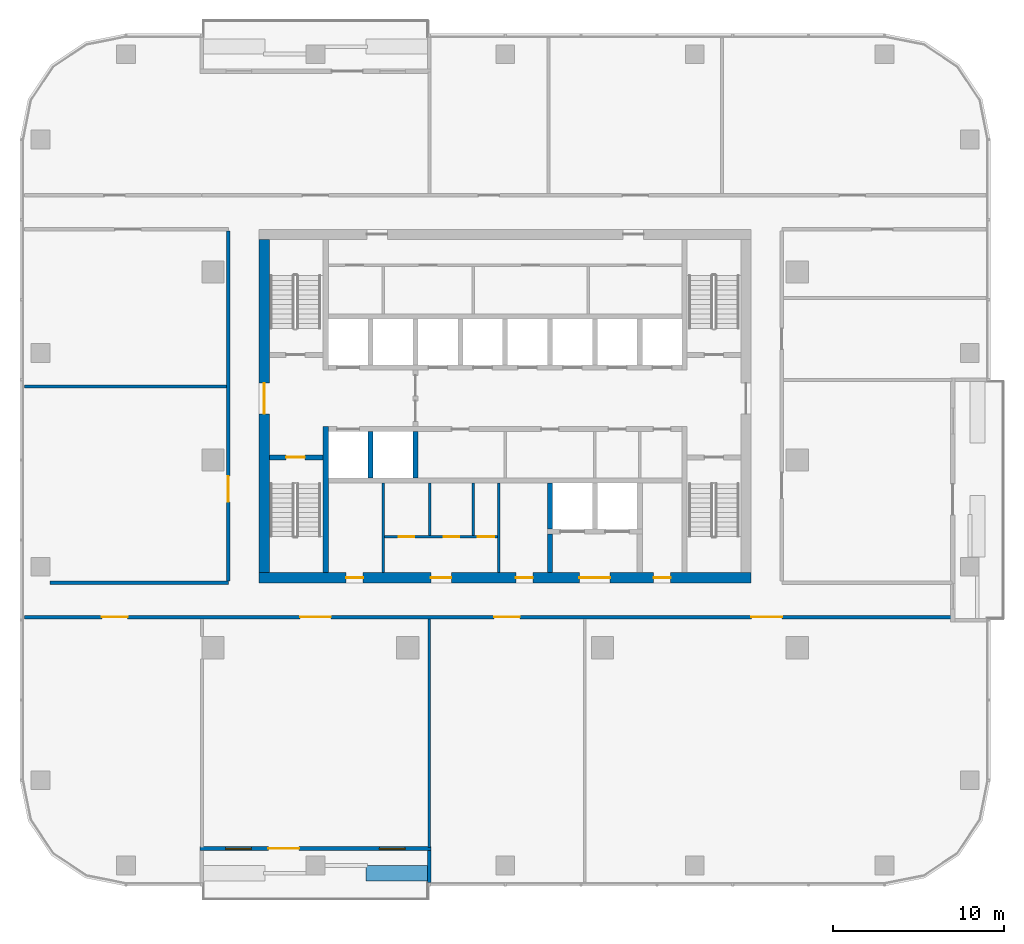
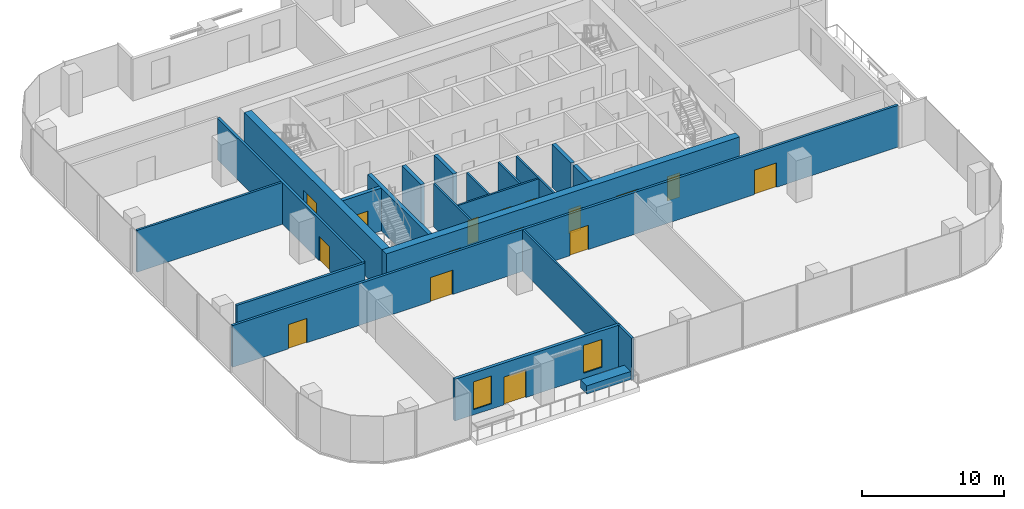
# One storey, part 7 of 14: 21 walls, 16 doors, 2 windows, 18 openings.
"""IFC4 building model written with IfcOpenShell, lengths in metres."""

from ifc_helpers import new_model, si_unit, direction, frame, frame_2d, origin, place, context, subcontext, project, spatial, rectangle, extrude, material, layer, layer_set, type_object, element, fill, save


model = new_model("IFC4")

# Units and contexts
model_context = context("Model", 3, precision=1e-05, world=origin(), true_north=direction((0.0, 1.0)))
body_context = subcontext(model_context, "Body", "Model", "MODEL_VIEW")
ifc_project = project(units=[si_unit("LENGTHUNIT", "METRE"), si_unit("AREAUNIT", "SQUARE_METRE"), si_unit("VOLUMEUNIT", "CUBIC_METRE"), si_unit("PLANEANGLEUNIT", "RADIAN"), si_unit("MASSUNIT", "GRAM", prefix="KILO")], contexts=[model_context])

# Site, building, storey
site_placement = place(None, origin())
site = spatial("IfcSite", under=ifc_project, at=site_placement, CompositionType="ELEMENT")
building_placement = place(site_placement, origin())
building = spatial("IfcBuilding", under=site, at=building_placement, Name="Mopane Tessera Tower", CompositionType="ELEMENT")
storey_placement = place(building_placement, frame((0.0, 0.0, 219.0)))
storey = spatial("IfcBuildingStorey", under=building, at=storey_placement, Name="L46", CompositionType="ELEMENT", Elevation=219.0)

# Wall
ifc_material_1 = material(Name="Fire-rated gypsum board partition")
ifc_layer_1 = layer(ifc_material_1, 0.14990234375)
ifc_layer_set_1 = layer_set([ifc_layer_1], Name="Fire-rated gypsum board partition")
wall_type_1 = type_object("IfcWallType", Name="Core room partition 150 mm", PredefinedType="PARTITIONING", material=ifc_layer_set_1)
wall_1_placement = place(storey_placement, frame((-7.125, -6.60009765625, 0.0), z_axis=(0.0, 0.0, 1.0), x_axis=(0.0, 1.0, 0.0)))
element("IfcWall", 1, at=wall_1_placement, inside=storey, type_object=wall_type_1, Name="L46 Room partition", PredefinedType="PARTITIONING", context=body_context, shape_type="SweptSolid", body=[
    extrude(rectangle(XDim=5.25, YDim=0.14990234375, at=frame_2d((2.625, 0.0))), origin(), (0.0, 0.0, 1.0), 3.699951171875),
])

# Wall, openings, doors
wall_2_placement = place(storey_placement, frame((-7.050048828125, -4.5, 0.0), z_axis=(0.0, 0.0, 1.0), x_axis=(1.0, 0.0, 0.0)))
wall_2 = element("IfcWall", 2, at=wall_2_placement, inside=storey, type_object=wall_type_1, Name="L46 WC partition", PredefinedType="PARTITIONING", context=body_context, shape_type="SweptSolid", body=[
    extrude(rectangle(XDim=6.60009765625, YDim=0.14990234375, at=frame_2d((3.300048828125, 0.0))), origin(), (0.0, 0.0, 1.0), 3.699951171875),
])
opening_1_placement = place(wall_2_placement, frame((0.824951171875, 0.0, 0.0)))
opening_1 = element("IfcOpeningElement", 3, at=opening_1_placement, cuts=wall_2, Name="Opening WD1", PredefinedType="OPENING", context=body_context, shape_type="SweptSolid", body=[
    extrude(rectangle(XDim=0.89990234375, YDim=2.10009765625, at=frame_2d((0.449951171875, 1.050048828125))), frame((0.0, 0.0869140625, 0.0), z_axis=(0.0, -1.0, 0.0), x_axis=(1.0, 0.0, 0.0)), (0.0, 0.0, 1.0), 0.173828125),
])
opening_2_placement = place(wall_2_placement, frame((3.45751953125, 0.0, 0.0)))
opening_2 = element("IfcOpeningElement", 4, at=opening_2_placement, cuts=wall_2, Name="Opening WD1", PredefinedType="OPENING", context=body_context, shape_type="SweptSolid", body=[
    extrude(rectangle(XDim=0.89990234375, YDim=2.10009765625, at=frame_2d((0.449951171875, 1.050048828125))), frame((0.0, 0.0869140625, 0.0), z_axis=(0.0, -1.0, 0.0), x_axis=(1.0, 0.0, 0.0)), (0.0, 0.0, 1.0), 0.173828125),
])
opening_3_placement = place(wall_2_placement, frame((5.45751953125, 0.0, 0.0)))
opening_3 = element("IfcOpeningElement", 5, at=opening_3_placement, cuts=wall_2, Name="Opening WD2", PredefinedType="OPENING", context=body_context, shape_type="SweptSolid", body=[
    extrude(rectangle(XDim=0.949951171875, YDim=2.10009765625, at=frame_2d((0.47509765625, 1.050048828125))), frame((0.0, 0.0869140625, 0.0), z_axis=(0.0, -1.0, 0.0), x_axis=(1.0, 0.0, 0.0)), (0.0, 0.0, 1.0), 0.173828125),
])
ifc_material_2 = material(Name="Timber door", Category="wood")
door_type_1 = type_object("IfcDoorType", Name="Accessible WC door 950 x 2100", OperationType="SINGLE_SWING_LEFT", PredefinedType="DOOR", material=ifc_material_2)
door_1_placement = place(opening_3_placement, origin())
door_1 = element("IfcDoor", 6, at=door_1_placement, inside=storey, type_object=door_type_1, Name="L46 Accessible WC door", OperationType="SINGLE_SWING_LEFT", OverallHeight=2.10009765625, OverallWidth=0.949951171875, PredefinedType="DOOR", context=body_context, shape_type="SweptSolid", body=[
    extrude(rectangle(XDim=0.949951171875, YDim=2.10009765625, at=frame_2d((0.47509765625, 1.050048828125))), frame((0.0, 0.02490234375, 0.0), z_axis=(0.0, -1.0, 0.0), x_axis=(1.0, 0.0, 0.0)), (0.0, 0.0, 1.0), 0.050048828125),
])
fill(opening_3, door_1)
ifc_material_3 = material(Name="Timber door", Category="wood")
door_type_2 = type_object("IfcDoorType", Name="WC cubicle door 900 x 2100", OperationType="SINGLE_SWING_LEFT", PredefinedType="DOOR", material=ifc_material_3)
door_2_placement = place(opening_1_placement, origin())
door_2 = element("IfcDoor", 7, at=door_2_placement, inside=storey, type_object=door_type_2, Name="L46 Men's WC door", OperationType="SINGLE_SWING_LEFT", OverallHeight=2.10009765625, OverallWidth=0.89990234375, PredefinedType="DOOR", context=body_context, shape_type="SweptSolid", body=[
    extrude(rectangle(XDim=0.89990234375, YDim=2.10009765625, at=frame_2d((0.449951171875, 1.050048828125))), frame((0.0, 0.02490234375, 0.0), z_axis=(0.0, -1.0, 0.0), x_axis=(1.0, 0.0, 0.0)), (0.0, 0.0, 1.0), 0.050048828125),
])
fill(opening_1, door_2)
door_3_placement = place(opening_2_placement, origin())
door_3 = element("IfcDoor", 8, at=door_3_placement, inside=storey, type_object=door_type_2, Name="L46 Women's WC door", OperationType="SINGLE_SWING_LEFT", OverallHeight=2.10009765625, OverallWidth=0.89990234375, PredefinedType="DOOR", context=body_context, shape_type="SweptSolid", body=[
    extrude(rectangle(XDim=0.89990234375, YDim=2.10009765625, at=frame_2d((0.449951171875, 1.050048828125))), frame((0.0, 0.02490234375, 0.0), z_axis=(0.0, -1.0, 0.0), x_axis=(1.0, 0.0, 0.0)), (0.0, 0.0, 1.0), 0.050048828125),
])
fill(opening_2, door_3)

# Walls
for number, where, z_axis, x_axis, name in (
    (9, (-4.425048828125, -4.425048828125, 0.0), (0.0, 0.0, 1.0), (0.0, 1.0, 0.0), "L46 WC partition"),
    (10, (-1.860107421875, -4.425048828125, 0.0), (0.0, 0.0, 1.0), (0.0, 1.0, 0.0), "L46 WC partition"),
):
    element("IfcWall", number, at=place(storey_placement, frame(where, z_axis=z_axis, x_axis=x_axis)), inside=storey, type_object=wall_type_1, Name=name, PredefinedType="PARTITIONING", context=body_context, shape_type="SweptSolid", body=[
        extrude(rectangle(XDim=3.074951171875, YDim=0.14990234375, at=frame_2d((1.53759765625, 0.0))), origin(), (0.0, 0.0, 1.0), 3.699951171875),
    ])
wall_3_placement = place(storey_placement, frame((-0.375, -6.60009765625, 0.0), z_axis=(0.0, 0.0, 1.0), x_axis=(0.0, 1.0, 0.0)))
element("IfcWall", 11, at=wall_3_placement, inside=storey, type_object=wall_type_1, Name="L46 Room partition", PredefinedType="PARTITIONING", context=body_context, shape_type="SweptSolid", body=[
    extrude(rectangle(XDim=5.25, YDim=0.14990234375, at=frame_2d((2.625, 0.0))), origin(), (0.0, 0.0, 1.0), 3.699951171875),
])

# Wall, openings, doors
ifc_material_4 = material(Name="Concrete C70/85", Category="concrete")
ifc_layer_2 = layer(ifc_material_4, 0.60009765625)
ifc_layer_set_2 = layer_set([ifc_layer_2], Name="Concrete C70/85")
wall_type_2 = type_object("IfcWallType", Name="Core shear wall 600 mm", PredefinedType="SHEAR", material=ifc_layer_set_2)
wall_4_placement = place(storey_placement, frame((-14.39990234375, -6.89990234375, 0.0), z_axis=(0.0, 0.0, 1.0), x_axis=(1.0, 0.0, 0.0)))
wall_4 = element("IfcWall", 12, at=wall_4_placement, inside=storey, type_object=wall_type_2, Name="L46 Core wall south", PredefinedType="SHEAR", context=body_context, shape_type="SweptSolid", body=[
    extrude(rectangle(XDim=28.7998046875, YDim=0.60009765625, at=frame_2d((14.39990234375, 0.0))), origin(), (0.0, 0.0, 1.0), 3.699951171875),
])
opening_4_placement = place(wall_4_placement, frame((5.08740234375, 0.0, 0.0)))
opening_4 = element("IfcOpeningElement", 13, at=opening_4_placement, cuts=wall_4, Name="Opening RD1", PredefinedType="OPENING", context=body_context, shape_type="SweptSolid", body=[
    extrude(rectangle(XDim=1.0, YDim=2.10009765625, at=frame_2d((0.5, 1.050048828125))), frame((0.0, 0.31201171875, 0.0), z_axis=(0.0, -1.0, 0.0), x_axis=(1.0, 0.0, 0.0)), (0.0, 0.0, 1.0), 0.6240234375),
])
opening_5_placement = place(wall_4_placement, frame((10.050048828125, 0.0, 0.0)))
opening_5 = element("IfcOpeningElement", 14, at=opening_5_placement, cuts=wall_4, Name="Opening WD3", PredefinedType="OPENING", context=body_context, shape_type="SweptSolid", body=[
    extrude(rectangle(XDim=1.199951171875, YDim=2.10009765625, at=frame_2d((0.60009765625, 1.050048828125))), frame((0.0, 0.31201171875, 0.0), z_axis=(0.0, -1.0, 0.0), x_axis=(1.0, 0.0, 0.0)), (0.0, 0.0, 1.0), 0.6240234375),
])
opening_6_placement = place(wall_4_placement, frame((15.02490234375, 0.0, 0.0)))
opening_6 = element("IfcOpeningElement", 15, at=opening_6_placement, cuts=wall_4, Name="Opening RD1", PredefinedType="OPENING", context=body_context, shape_type="SweptSolid", body=[
    extrude(rectangle(XDim=1.0, YDim=2.10009765625, at=frame_2d((0.5, 1.050048828125))), frame((0.0, 0.31201171875, 0.0), z_axis=(0.0, -1.0, 0.0), x_axis=(1.0, 0.0, 0.0)), (0.0, 0.0, 1.0), 0.6240234375),
])
opening_7_placement = place(wall_4_placement, frame((18.75, 0.0, 0.0)))
opening_7 = element("IfcOpeningElement", 16, at=opening_7_placement, cuts=wall_4, Name="Opening SD2", PredefinedType="OPENING", context=body_context, shape_type="SweptSolid", body=[
    extrude(rectangle(XDim=1.800048828125, YDim=2.10009765625, at=frame_2d((0.89990234375, 1.050048828125))), frame((0.0, 0.31201171875, 0.0), z_axis=(0.0, -1.0, 0.0), x_axis=(1.0, 0.0, 0.0)), (0.0, 0.0, 1.0), 0.6240234375),
])
opening_8_placement = place(wall_4_placement, frame((23.08740234375, 0.0, 0.0)))
opening_8 = element("IfcOpeningElement", 17, at=opening_8_placement, cuts=wall_4, Name="Opening RD1", PredefinedType="OPENING", context=body_context, shape_type="SweptSolid", body=[
    extrude(rectangle(XDim=1.0, YDim=2.10009765625, at=frame_2d((0.5, 1.050048828125))), frame((0.0, 0.31201171875, 0.0), z_axis=(0.0, -1.0, 0.0), x_axis=(1.0, 0.0, 0.0)), (0.0, 0.0, 1.0), 0.6240234375),
])
ifc_material_5 = material(Name="Steel fire door", Category="steel")
door_type_3 = type_object("IfcDoorType", Name="Core entrance double door 1800 x 2100", OperationType="DOUBLE_DOOR_SINGLE_SWING", PredefinedType="DOOR", material=ifc_material_5)
door_4_placement = place(opening_7_placement, origin())
door_4 = element("IfcDoor", 18, at=door_4_placement, inside=storey, type_object=door_type_3, Name="L46 Service lobby door", OperationType="DOUBLE_DOOR_SINGLE_SWING", OverallHeight=2.10009765625, OverallWidth=1.800048828125, PredefinedType="DOOR", context=body_context, shape_type="SweptSolid", body=[
    extrude(rectangle(XDim=1.800048828125, YDim=2.10009765625, at=frame_2d((0.89990234375, 1.050048828125))), frame((0.0, 0.02490234375, 0.0), z_axis=(0.0, -1.0, 0.0), x_axis=(1.0, 0.0, 0.0)), (0.0, 0.0, 1.0), 0.050048828125),
])
fill(opening_7, door_4)
ifc_material_6 = material(Name="Timber door", Category="wood")
door_type_4 = type_object("IfcDoorType", Name="Core room door 1000 x 2100", OperationType="SINGLE_SWING_LEFT", PredefinedType="DOOR", material=ifc_material_6)
door_5_placement = place(opening_4_placement, origin())
door_5 = element("IfcDoor", 19, at=door_5_placement, inside=storey, type_object=door_type_4, Name="L46 Room door", OperationType="SINGLE_SWING_LEFT", OverallHeight=2.10009765625, OverallWidth=1.0, PredefinedType="DOOR", context=body_context, shape_type="SweptSolid", body=[
    extrude(rectangle(XDim=1.0, YDim=2.10009765625, at=frame_2d((0.5, 1.050048828125))), frame((0.0, 0.02490234375, 0.0), z_axis=(0.0, -1.0, 0.0), x_axis=(1.0, 0.0, 0.0)), (0.0, 0.0, 1.0), 0.050048828125),
])
fill(opening_4, door_5)
door_6_placement = place(opening_6_placement, origin())
door_6 = element("IfcDoor", 20, at=door_6_placement, inside=storey, type_object=door_type_4, Name="L46 Room door", OperationType="SINGLE_SWING_LEFT", OverallHeight=2.10009765625, OverallWidth=1.0, PredefinedType="DOOR", context=body_context, shape_type="SweptSolid", body=[
    extrude(rectangle(XDim=1.0, YDim=2.10009765625, at=frame_2d((0.5, 1.050048828125))), frame((0.0, 0.02490234375, 0.0), z_axis=(0.0, -1.0, 0.0), x_axis=(1.0, 0.0, 0.0)), (0.0, 0.0, 1.0), 0.050048828125),
])
fill(opening_6, door_6)
door_7_placement = place(opening_8_placement, origin())
door_7 = element("IfcDoor", 21, at=door_7_placement, inside=storey, type_object=door_type_4, Name="L46 Room door", OperationType="SINGLE_SWING_LEFT", OverallHeight=2.10009765625, OverallWidth=1.0, PredefinedType="DOOR", context=body_context, shape_type="SweptSolid", body=[
    extrude(rectangle(XDim=1.0, YDim=2.10009765625, at=frame_2d((0.5, 1.050048828125))), frame((0.0, 0.02490234375, 0.0), z_axis=(0.0, -1.0, 0.0), x_axis=(1.0, 0.0, 0.0)), (0.0, 0.0, 1.0), 0.050048828125),
])
fill(opening_8, door_7)
ifc_material_7 = material(Name="Timber door", Category="wood")
door_type_5 = type_object("IfcDoorType", Name="WC lobby door 1200 x 2100", OperationType="SINGLE_SWING_LEFT", PredefinedType="DOOR", material=ifc_material_7)
door_8_placement = place(opening_5_placement, origin())
door_8 = element("IfcDoor", 22, at=door_8_placement, inside=storey, type_object=door_type_5, Name="L46 WC lobby door", OperationType="SINGLE_SWING_LEFT", OverallHeight=2.10009765625, OverallWidth=1.199951171875, PredefinedType="DOOR", context=body_context, shape_type="SweptSolid", body=[
    extrude(rectangle(XDim=1.199951171875, YDim=2.10009765625, at=frame_2d((0.60009765625, 1.050048828125))), frame((0.0, 0.02490234375, 0.0), z_axis=(0.0, -1.0, 0.0), x_axis=(1.0, 0.0, 0.0)), (0.0, 0.0, 1.0), 0.050048828125),
])
fill(opening_5, door_8)

# Wall, opening, door
wall_5_placement = place(storey_placement, frame((-14.10009765625, -6.60009765625, 0.0), z_axis=(0.0, 0.0, 1.0), x_axis=(0.0, 1.0, 0.0)))
wall_5 = element("IfcWall", 23, at=wall_5_placement, inside=storey, type_object=wall_type_2, Name="L46 Core wall west", PredefinedType="SHEAR", context=body_context, shape_type="SweptSolid", body=[
    extrude(rectangle(XDim=19.5, YDim=0.60009765625, at=frame_2d((9.75, 0.0))), origin(), (0.0, 0.0, 1.0), 3.699951171875),
])
opening_9_placement = place(wall_5_placement, frame((9.300048828125, 0.0, 0.0)))
opening_9 = element("IfcOpeningElement", 24, at=opening_9_placement, cuts=wall_5, Name="Opening SD2", PredefinedType="OPENING", context=body_context, shape_type="SweptSolid", body=[
    extrude(rectangle(XDim=1.800048828125, YDim=2.10009765625, at=frame_2d((0.89990234375, 1.050048828125))), frame((0.0, 0.31201171875, 0.0), z_axis=(0.0, -1.0, 0.0), x_axis=(1.0, 0.0, 0.0)), (0.0, 0.0, 1.0), 0.6240234375),
])
door_9_placement = place(opening_9_placement, origin())
door_9 = element("IfcDoor", 25, at=door_9_placement, inside=storey, type_object=door_type_3, Name="L46 Core entrance door west", OperationType="DOUBLE_DOOR_SINGLE_SWING", OverallHeight=2.10009765625, OverallWidth=1.800048828125, PredefinedType="DOOR", context=body_context, shape_type="SweptSolid", body=[
    extrude(rectangle(XDim=1.800048828125, YDim=2.10009765625, at=frame_2d((0.89990234375, 1.050048828125))), frame((0.0, 0.02490234375, 0.0), z_axis=(0.0, -1.0, 0.0), x_axis=(1.0, 0.0, 0.0)), (0.0, 0.0, 1.0), 0.050048828125),
])
fill(opening_9, door_9)

# Walls
ifc_material_8 = material(Name="Concrete C60/75", Category="concrete")
ifc_layer_3 = layer(ifc_material_8, 0.300048828125)
ifc_layer_set_3 = layer_set([ifc_layer_3], Name="Concrete C60/75")
wall_type_3 = type_object("IfcWallType", Name="Core spine wall 300 mm", PredefinedType="SHEAR", material=ifc_layer_set_3)
wall_6_placement = place(storey_placement, frame((-10.5, -6.60009765625, 0.0), z_axis=(0.0, 0.0, 1.0), x_axis=(0.0, 1.0, 0.0)))
element("IfcWall", 26, at=wall_6_placement, inside=storey, type_object=wall_type_3, Name="L46 Core spine wall", PredefinedType="SHEAR", context=body_context, shape_type="SweptSolid", body=[
    extrude(rectangle(XDim=8.550048828125, YDim=0.300048828125, at=frame_2d((4.27490234375, 0.0))), origin(), (0.0, 0.0, 1.0), 3.699951171875),
])
ifc_material_9 = material(Name="Gypsum board on staggered steel studs, double layer each face, acoustic mineral wool infill", Category="steel")
ifc_layer_4 = layer(ifc_material_9, 0.175048828125)
ifc_layer_set_4 = layer_set([ifc_layer_4], Name="Gypsum board on staggered steel studs, double layer each face, acoustic mineral wool infill")
wall_type_4 = type_object("IfcWallType", Name="Gypsum board acoustic partition 175, rated EI 60", PredefinedType="PARTITIONING", material=ifc_layer_set_4)
wall_7_placement = place(storey_placement, frame((-28.14990234375, 4.300048828125, 0.0), z_axis=(0.0, 0.0, 1.0), x_axis=(1.0, 0.0, 0.0)))
element("IfcWall", 27, at=wall_7_placement, inside=storey, type_object=wall_type_4, Name="Partition L46:003", PredefinedType="PARTITIONING", context=body_context, shape_type="SweptSolid", body=[
    extrude(rectangle(XDim=11.849853515625, YDim=0.175048828125, at=frame_2d((5.9248046875, 0.0))), origin(), (0.0, 0.0, 1.0), 3.60009765625),
])

# Wall, openings, doors
ifc_material_10 = material(Name="Gypsum board on steel studs, two layers each face, mineral wool infill", Category="steel")
ifc_layer_5 = layer(ifc_material_10, 0.199951171875)
ifc_layer_set_5 = layer_set([ifc_layer_5], Name="Gypsum board on steel studs, two layers each face, mineral wool infill")
wall_type_5 = type_object("IfcWallType", Name="Gypsum board corridor wall 200, rated EI 60", PredefinedType="PARTITIONING", material=ifc_layer_set_5)
wall_8_placement = place(storey_placement, frame((-28.14990234375, -9.199951171875, 0.0), z_axis=(0.0, 0.0, 1.0), x_axis=(1.0, 0.0, 0.0)))
wall_8 = element("IfcWall", 28, at=wall_8_placement, inside=storey, type_object=wall_type_5, Name="Partition L46:000", PredefinedType="PARTITIONING", context=body_context, shape_type="SweptSolid", body=[
    extrude(rectangle(XDim=54.2998046875, YDim=0.199951171875, at=frame_2d((27.14990234375, 0.0))), origin(), (0.0, 0.0, 1.0), 3.60009765625),
])
opening_10_placement = place(wall_8_placement, frame((42.554931640625, 0.0, 0.0)))
opening_10 = element("IfcOpeningElement", 29, at=opening_10_placement, cuts=wall_8, Name="Opening L46-04", PredefinedType="OPENING", context=body_context, shape_type="SweptSolid", body=[
    extrude(rectangle(XDim=1.800048828125, YDim=2.10009765625, at=frame_2d((0.89990234375, 1.050048828125))), frame((0.0, 0.112060546875, 0.0), z_axis=(0.0, -1.0, 0.0), x_axis=(1.0, 0.0, 0.0)), (0.0, 0.0, 1.0), 0.223876953125),
])
opening_11_placement = place(wall_8_placement, frame((27.510009765625, 0.0, 0.0)))
opening_11 = element("IfcOpeningElement", 30, at=opening_11_placement, cuts=wall_8, Name="Opening L46-07", PredefinedType="OPENING", context=body_context, shape_type="SweptSolid", body=[
    extrude(rectangle(XDim=1.5, YDim=2.10009765625, at=frame_2d((0.75, 1.050048828125))), frame((0.0, 0.112060546875, 0.0), z_axis=(0.0, -1.0, 0.0), x_axis=(1.0, 0.0, 0.0)), (0.0, 0.0, 1.0), 0.223876953125),
])
opening_12_placement = place(wall_8_placement, frame((16.14990234375, 0.0, 0.0)))
opening_12 = element("IfcOpeningElement", 31, at=opening_12_placement, cuts=wall_8, Name="Opening L46-08", PredefinedType="OPENING", context=body_context, shape_type="SweptSolid", body=[
    extrude(rectangle(XDim=1.800048828125, YDim=2.10009765625, at=frame_2d((0.89990234375, 1.050048828125))), frame((0.0, 0.112060546875, 0.0), z_axis=(0.0, -1.0, 0.0), x_axis=(1.0, 0.0, 0.0)), (0.0, 0.0, 1.0), 0.223876953125),
])
opening_13_placement = place(wall_8_placement, frame((4.544921875, 0.0, 0.0)))
opening_13 = element("IfcOpeningElement", 32, at=opening_13_placement, cuts=wall_8, Name="Opening L46-11", PredefinedType="OPENING", context=body_context, shape_type="SweptSolid", body=[
    extrude(rectangle(XDim=1.5, YDim=2.10009765625, at=frame_2d((0.75, 1.050048828125))), frame((0.0, 0.112060546875, 0.0), z_axis=(0.0, -1.0, 0.0), x_axis=(1.0, 0.0, 0.0)), (0.0, 0.0, 1.0), 0.223876953125),
])
ifc_material_11 = material(Name="Timber veneered steel-framed fire door", Category="steel")
door_type_6 = type_object("IfcDoorType", Name="Fire door pair FD60 1500 x 2100", OperationType="DOUBLE_DOOR_SINGLE_SWING", PredefinedType="DOOR", material=ifc_material_11)
door_10_placement = place(opening_11_placement, origin())
door_10 = element("IfcDoor", 33, at=door_10_placement, inside=storey, type_object=door_type_6, Name="Door L46-07", ObjectType="D17A", OperationType="DOUBLE_DOOR_SINGLE_SWING", OverallHeight=2.10009765625, OverallWidth=1.5, PredefinedType="DOOR", context=body_context, shape_type="SweptSolid", body=[
    extrude(rectangle(XDim=1.5, YDim=2.10009765625, at=frame_2d((0.75, 1.050048828125))), frame((0.0, 0.02490234375, 0.0), z_axis=(0.0, -1.0, 0.0), x_axis=(1.0, 0.0, 0.0)), (0.0, 0.0, 1.0), 0.050048828125),
])
fill(opening_11, door_10)
door_11_placement = place(opening_13_placement, origin())
door_11 = element("IfcDoor", 34, at=door_11_placement, inside=storey, type_object=door_type_6, Name="Door L46-11", ObjectType="D17A", OperationType="DOUBLE_DOOR_SINGLE_SWING", OverallHeight=2.10009765625, OverallWidth=1.5, PredefinedType="DOOR", context=body_context, shape_type="SweptSolid", body=[
    extrude(rectangle(XDim=1.5, YDim=2.10009765625, at=frame_2d((0.75, 1.050048828125))), frame((0.0, 0.02490234375, 0.0), z_axis=(0.0, -1.0, 0.0), x_axis=(1.0, 0.0, 0.0)), (0.0, 0.0, 1.0), 0.050048828125),
])
fill(opening_13, door_11)
ifc_material_12 = material(Name="Timber veneered steel-framed fire door", Category="steel")
door_type_7 = type_object("IfcDoorType", Name="Fire door pair FD60 1800 x 2100", OperationType="DOUBLE_DOOR_SINGLE_SWING", PredefinedType="DOOR", material=ifc_material_12)
door_12_placement = place(opening_10_placement, origin())
door_12 = element("IfcDoor", 35, at=door_12_placement, inside=storey, type_object=door_type_7, Name="Door L46-04", ObjectType="D20A", OperationType="DOUBLE_DOOR_SINGLE_SWING", OverallHeight=2.10009765625, OverallWidth=1.800048828125, PredefinedType="DOOR", context=body_context, shape_type="SweptSolid", body=[
    extrude(rectangle(XDim=1.800048828125, YDim=2.10009765625, at=frame_2d((0.89990234375, 1.050048828125))), frame((0.0, 0.02490234375, 0.0), z_axis=(0.0, -1.0, 0.0), x_axis=(1.0, 0.0, 0.0)), (0.0, 0.0, 1.0), 0.050048828125),
])
fill(opening_10, door_12)
door_13_placement = place(opening_12_placement, origin())
door_13 = element("IfcDoor", 36, at=door_13_placement, inside=storey, type_object=door_type_7, Name="Door L46-08", ObjectType="D20A", OperationType="DOUBLE_DOOR_SINGLE_SWING", OverallHeight=2.10009765625, OverallWidth=1.800048828125, PredefinedType="DOOR", context=body_context, shape_type="SweptSolid", body=[
    extrude(rectangle(XDim=1.800048828125, YDim=2.10009765625, at=frame_2d((0.89990234375, 1.050048828125))), frame((0.0, 0.02490234375, 0.0), z_axis=(0.0, -1.0, 0.0), x_axis=(1.0, 0.0, 0.0)), (0.0, 0.0, 1.0), 0.050048828125),
])
fill(opening_12, door_13)

# Wall
wall_9_placement = place(storey_placement, frame((-26.64990234375, -7.199951171875, 0.0), z_axis=(0.0, 0.0, 1.0), x_axis=(1.0, 0.0, 0.0)))
element("IfcWall", 37, at=wall_9_placement, inside=storey, type_object=wall_type_5, Name="Partition L46:001", PredefinedType="PARTITIONING", context=body_context, shape_type="SweptSolid", body=[
    extrude(rectangle(XDim=10.449951171875, YDim=0.199951171875, at=frame_2d((5.22509765625, 0.0))), origin(), (0.0, 0.0, 1.0), 3.60009765625),
])

# Wall, opening, door
wall_10_placement = place(storey_placement, frame((-16.199951171875, -7.10009765625, 0.0), z_axis=(0.0, 0.0, 1.0), x_axis=(0.0, 1.0, 0.0)))
wall_10 = element("IfcWall", 38, at=wall_10_placement, inside=storey, type_object=wall_type_5, Name="Partition L46:012", PredefinedType="PARTITIONING", context=body_context, shape_type="SweptSolid", body=[
    extrude(rectangle(XDim=20.5, YDim=0.199951171875, at=frame_2d((10.25, 0.0))), origin(), (0.0, 0.0, 1.0), 3.60009765625),
])
opening_14_placement = place(wall_10_placement, frame((4.64990234375, 0.0, 0.0)))
opening_14 = element("IfcOpeningElement", 39, at=opening_14_placement, cuts=wall_10, Name="Opening L46-12", PredefinedType="OPENING", context=body_context, shape_type="SweptSolid", body=[
    extrude(rectangle(XDim=1.5, YDim=2.10009765625, at=frame_2d((0.75, 1.050048828125))), frame((0.0, 0.112060546875, 0.0), z_axis=(0.0, -1.0, 0.0), x_axis=(1.0, 0.0, 0.0)), (0.0, 0.0, 1.0), 0.223876953125),
])
door_14_placement = place(opening_14_placement, origin())
door_14 = element("IfcDoor", 40, at=door_14_placement, inside=storey, type_object=door_type_6, Name="Door L46-12", ObjectType="D17A", OperationType="DOUBLE_DOOR_SINGLE_SWING", OverallHeight=2.10009765625, OverallWidth=1.5, PredefinedType="DOOR", context=body_context, shape_type="SweptSolid", body=[
    extrude(rectangle(XDim=1.5, YDim=2.10009765625, at=frame_2d((0.75, 1.050048828125))), frame((0.0, 0.02490234375, 0.0), z_axis=(0.0, -1.0, 0.0), x_axis=(1.0, 0.0, 0.0)), (0.0, 0.0, 1.0), 0.050048828125),
])
fill(opening_14, door_14)

# Wall
ifc_material_13 = material(Name="Gypsum board on steel studs, mineral wool infill", Category="steel")
ifc_layer_6 = layer(ifc_material_13, 0.14990234375)
ifc_layer_set_6 = layer_set([ifc_layer_6], Name="Gypsum board on steel studs, mineral wool infill")
wall_type_6 = type_object("IfcWallType", Name="Gypsum board partition 150, rated EI 60", PredefinedType="PARTITIONING", material=ifc_layer_set_6)
wall_11_placement = place(storey_placement, frame((-4.43994140625, -22.699951171875, 0.0), z_axis=(0.0, 0.0, 1.0), x_axis=(0.0, 1.0, 0.0)))
element("IfcWall", 41, at=wall_11_placement, inside=storey, type_object=wall_type_6, Name="Partition L46:013", PredefinedType="PARTITIONING", context=body_context, shape_type="SweptSolid", body=[
    extrude(rectangle(XDim=13.39990234375, YDim=0.14990234375, at=frame_2d((6.699951171875, 0.0))), origin(), (0.0, 0.0, 1.0), 3.60009765625),
])

# Wall, opening, door
ifc_material_14 = material(Name="Concrete C50/60", Category="concrete")
ifc_layer_7 = layer(ifc_material_14, 0.300048828125)
ifc_layer_set_7 = layer_set([ifc_layer_7], Name="Concrete C50/60")
wall_type_7 = type_object("IfcWallType", Name="Lift and stair shaft wall 300 mm", PredefinedType="SOLIDWALL", material=ifc_layer_set_7)
wall_12_placement = place(storey_placement, frame((-13.800048828125, 0.14990234375, 0.0), z_axis=(0.0, 0.0, 1.0), x_axis=(1.0, 0.0, 0.0)))
wall_12 = element("IfcWall", 42, at=wall_12_placement, inside=storey, type_object=wall_type_7, Name="L46 Stair enclosure wall", PredefinedType="SOLIDWALL", context=body_context, shape_type="SweptSolid", body=[
    extrude(rectangle(XDim=3.150146484375, YDim=0.300048828125, at=frame_2d((1.5751953125, 0.0))), origin(), (0.0, 0.0, 1.0), 3.699951171875),
])
opening_15_placement = place(wall_12_placement, frame((0.97509765625, 0.0, 0.0)))
opening_15 = element("IfcOpeningElement", 43, at=opening_15_placement, cuts=wall_12, Name="Opening SD1", PredefinedType="OPENING", context=body_context, shape_type="SweptSolid", body=[
    extrude(rectangle(XDim=1.10009765625, YDim=2.10009765625, at=frame_2d((0.550048828125, 1.050048828125))), frame((0.0, 0.162109375, 0.0), z_axis=(0.0, -1.0, 0.0), x_axis=(1.0, 0.0, 0.0)), (0.0, 0.0, 1.0), 0.323974609375),
])
ifc_material_15 = material(Name="Steel fire door", Category="steel")
door_type_8 = type_object("IfcDoorType", Name="Stair fire door 1100 x 2100", OperationType="SINGLE_SWING_LEFT", PredefinedType="DOOR", material=ifc_material_15)
door_15_placement = place(opening_15_placement, origin())
door_15 = element("IfcDoor", 44, at=door_15_placement, inside=storey, type_object=door_type_8, Name="L46 Stair door ST1", OperationType="SINGLE_SWING_LEFT", OverallHeight=2.10009765625, OverallWidth=1.10009765625, PredefinedType="DOOR", context=body_context, shape_type="SweptSolid", body=[
    extrude(rectangle(XDim=1.10009765625, YDim=2.10009765625, at=frame_2d((0.550048828125, 1.050048828125))), frame((0.0, 0.02490234375, 0.0), z_axis=(0.0, -1.0, 0.0), x_axis=(1.0, 0.0, 0.0)), (0.0, 0.0, 1.0), 0.050048828125),
])
fill(opening_15, door_15)

# Walls
for number, where, z_axis, x_axis, name in (
    (45, (-7.875, -1.050048828125, 0.0), (0.0, 0.0, 1.0), (0.0, 1.0, 0.0), "L46 Lift shaft wall"),
    (46, (-5.25, -1.050048828125, 0.0), (0.0, 0.0, 1.0), (0.0, 1.0, 0.0), "L46 Lift shaft wall"),
    (47, (2.625, -4.050048828125, 0.0), (0.0, 0.0, 1.0), (0.0, 1.0, 0.0), "L46 Lift shaft wall"),
):
    element("IfcWall", number, at=place(storey_placement, frame(where, z_axis=z_axis, x_axis=x_axis)), inside=storey, type_object=wall_type_7, Name=name, PredefinedType="SOLIDWALL", context=body_context, shape_type="SweptSolid", body=[
        extrude(rectangle(XDim=2.699951171875, YDim=0.300048828125, at=frame_2d((1.35009765625, 0.0))), origin(), (0.0, 0.0, 1.0), 3.699951171875),
    ])
ifc_material_16 = material(Name="Concrete C50/60", Category="concrete")
ifc_layer_8 = layer(ifc_material_16, 0.300048828125)
ifc_layer_set_8 = layer_set([ifc_layer_8], Name="Concrete C50/60")
wall_type_8 = type_object("IfcWallType", Name="Lobby and refuge room wall 300 mm", PredefinedType="SOLIDWALL", material=ifc_layer_set_8)
wall_13_placement = place(storey_placement, frame((2.625, -6.60009765625, 0.0), z_axis=(0.0, 0.0, 1.0), x_axis=(0.0, 1.0, 0.0)))
element("IfcWall", 48, at=wall_13_placement, inside=storey, type_object=wall_type_8, Name="L46 Service lobby wall", PredefinedType="SOLIDWALL", context=body_context, shape_type="SweptSolid", body=[
    extrude(rectangle(XDim=2.25, YDim=0.300048828125, at=frame_2d((1.125, 0.0))), origin(), (0.0, 0.0, 1.0), 3.699951171875),
])
ifc_material_17 = material(Name="Reinforced concrete C32/40 with waterproofing", Category="concrete")
ifc_layer_9 = layer(ifc_material_17, 0.89990234375)
ifc_layer_set_9 = layer_set([ifc_layer_9], Name="Reinforced concrete C32/40 with waterproofing")
wall_type_9 = type_object("IfcWallType", Name="Planter trough 3600 x 900", PredefinedType="STANDARD", material=ifc_layer_set_9)
wall_14_placement = place(storey_placement, frame((-8.139892578125, -24.199951171875, 0.0), z_axis=(0.0, 0.0, 1.0), x_axis=(1.0, 0.0, 0.0)))
element("IfcWall", 49, at=wall_14_placement, inside=storey, type_object=wall_type_9, Name="e:nw:L46:N1:pl1", PredefinedType="STANDARD", context=body_context, shape_type="SweptSolid", body=[
    extrude(rectangle(XDim=3.599853515625, YDim=0.89990234375, at=frame_2d((1.7998046875, 0.0))), origin(), (0.0, 0.0, 1.0), 0.699951171875),
])
ifc_material_18 = material(Name="Blockwork with glazed tile facing", Category="masonry")
ifc_layer_10 = layer(ifc_material_18, 0.199951171875)
ifc_layer_set_10 = layer_set([ifc_layer_10], Name="Blockwork with glazed tile facing")
wall_type_10 = type_object("IfcWallType", Name="Terrace cheek wall 200", PredefinedType="STANDARD", material=ifc_layer_set_10)
wall_15_placement = place(storey_placement, frame((-4.43994140625, -24.75, 0.0), z_axis=(0.0, 0.0, 1.0), x_axis=(0.0, 1.0, 0.0)))
element("IfcWall", 50, at=wall_15_placement, inside=storey, type_object=wall_type_10, Name="e:nw:L46:N1:cheekb", PredefinedType="STANDARD", context=body_context, shape_type="SweptSolid", body=[
    extrude(rectangle(XDim=1.875, YDim=0.199951171875, at=frame_2d((0.9375, 0.0))), origin(), (0.0, 0.0, 1.0), 3.60009765625),
])

# Wall, openings, windows, door
ifc_material_19 = material(Name="Blockwork with ultramarine glazed tile facing", Category="masonry")
ifc_layer_11 = layer(ifc_material_19, 0.25)
ifc_layer_set_11 = layer_set([ifc_layer_11], Name="Blockwork with ultramarine glazed tile facing")
wall_type_11 = type_object("IfcWallType", Name="Tile-clad external wall 250, ultramarine", PredefinedType="STANDARD", material=ifc_layer_set_11)
wall_16_placement = place(storey_placement, frame((-17.860107421875, -22.75, 0.0), z_axis=(0.0, 0.0, 1.0), x_axis=(1.0, 0.0, 0.0)))
wall_16 = element("IfcWall", 51, at=wall_16_placement, inside=storey, type_object=wall_type_11, Name="e:nw:L46:N1:back", PredefinedType="STANDARD", context=body_context, shape_type="SweptSolid", body=[
    extrude(rectangle(XDim=13.52001953125, YDim=0.25, at=frame_2d((6.760009765625, 0.0))), origin(), (0.0, 0.0, 1.0), 3.60009765625),
])
opening_16_placement = place(wall_16_placement, frame((1.5, 0.0, 0.449951171875)))
opening_16 = element("IfcOpeningElement", 52, at=opening_16_placement, cuts=wall_16, Name="Opening NW461A", PredefinedType="OPENING", context=body_context, shape_type="SweptSolid", body=[
    extrude(rectangle(XDim=1.5, YDim=2.39990234375, at=frame_2d((0.75, 1.199951171875))), frame((0.0, 0.136962890625, 0.0), z_axis=(0.0, -1.0, 0.0), x_axis=(1.0, 0.0, 0.0)), (0.0, 0.0, 1.0), 0.27392578125),
])
opening_17_placement = place(wall_16_placement, frame((4.0, 0.0, 0.0)))
opening_17 = element("IfcOpeningElement", 53, at=opening_17_placement, cuts=wall_16, Name="Opening ND461", PredefinedType="OPENING", context=body_context, shape_type="SweptSolid", body=[
    extrude(rectangle(XDim=1.800048828125, YDim=2.39990234375, at=frame_2d((0.89990234375, 1.199951171875))), frame((0.0, 0.136962890625, 0.0), z_axis=(0.0, -1.0, 0.0), x_axis=(1.0, 0.0, 0.0)), (0.0, 0.0, 1.0), 0.27392578125),
])
opening_18_placement = place(wall_16_placement, frame((10.5, 0.0, 0.449951171875)))
opening_18 = element("IfcOpeningElement", 54, at=opening_18_placement, cuts=wall_16, Name="Opening NW461B", PredefinedType="OPENING", context=body_context, shape_type="SweptSolid", body=[
    extrude(rectangle(XDim=1.5, YDim=2.39990234375, at=frame_2d((0.75, 1.199951171875))), frame((0.0, 0.136962890625, 0.0), z_axis=(0.0, -1.0, 0.0), x_axis=(1.0, 0.0, 0.0)), (0.0, 0.0, 1.0), 0.27392578125),
])
ifc_material_20 = material(Name="Clear laminated glass", Category="glass")
window_type = type_object("IfcWindowType", Name="Fixed window 1500 x 2400", PartitioningType="SINGLE_PANEL", PredefinedType="WINDOW", material=ifc_material_20)
window_1_placement = place(opening_16_placement, origin())
window_1 = element("IfcWindow", 55, at=window_1_placement, inside=storey, type_object=window_type, Name="e:nw:L46:N1:win0", OverallHeight=2.39990234375, OverallWidth=1.5, PartitioningType="SINGLE_PANEL", PredefinedType="WINDOW", context=body_context, shape_type="SweptSolid", body=[
    extrude(rectangle(XDim=1.5, YDim=2.39990234375, at=frame_2d((0.75, 1.199951171875))), frame((0.0, 0.030029296875, 0.0), z_axis=(0.0, -1.0, 0.0), x_axis=(1.0, 0.0, 0.0)), (0.0, 0.0, 1.0), 0.06005859375),
])
fill(opening_16, window_1)
window_2_placement = place(opening_18_placement, origin())
window_2 = element("IfcWindow", 56, at=window_2_placement, inside=storey, type_object=window_type, Name="e:nw:L46:N1:win2", OverallHeight=2.39990234375, OverallWidth=1.5, PartitioningType="SINGLE_PANEL", PredefinedType="WINDOW", context=body_context, shape_type="SweptSolid", body=[
    extrude(rectangle(XDim=1.5, YDim=2.39990234375, at=frame_2d((0.75, 1.199951171875))), frame((0.0, 0.030029296875, 0.0), z_axis=(0.0, -1.0, 0.0), x_axis=(1.0, 0.0, 0.0)), (0.0, 0.0, 1.0), 0.06005859375),
])
fill(opening_18, window_2)
ifc_material_21 = material(Name="Aluminium and clear glass", Category="aluminium")
door_type_9 = type_object("IfcDoorType", Name="Terrace double door 1800 x 2400", OperationType="DOUBLE_DOOR_SINGLE_SWING", PredefinedType="DOOR", material=ifc_material_21)
door_16_placement = place(opening_17_placement, origin())
door_16 = element("IfcDoor", 57, at=door_16_placement, inside=storey, type_object=door_type_9, Name="e:nw:L46:N1:door", ObjectType="D1", OperationType="DOUBLE_DOOR_SINGLE_SWING", OverallHeight=2.39990234375, OverallWidth=1.800048828125, PredefinedType="DOOR", context=body_context, shape_type="SweptSolid", body=[
    extrude(rectangle(XDim=1.800048828125, YDim=2.39990234375, at=frame_2d((0.89990234375, 1.199951171875))), frame((0.0, 0.02490234375, 0.0), z_axis=(0.0, -1.0, 0.0), x_axis=(1.0, 0.0, 0.0)), (0.0, 0.0, 1.0), 0.050048828125),
])
fill(opening_17, door_16)

save(model, "model.ifc")
